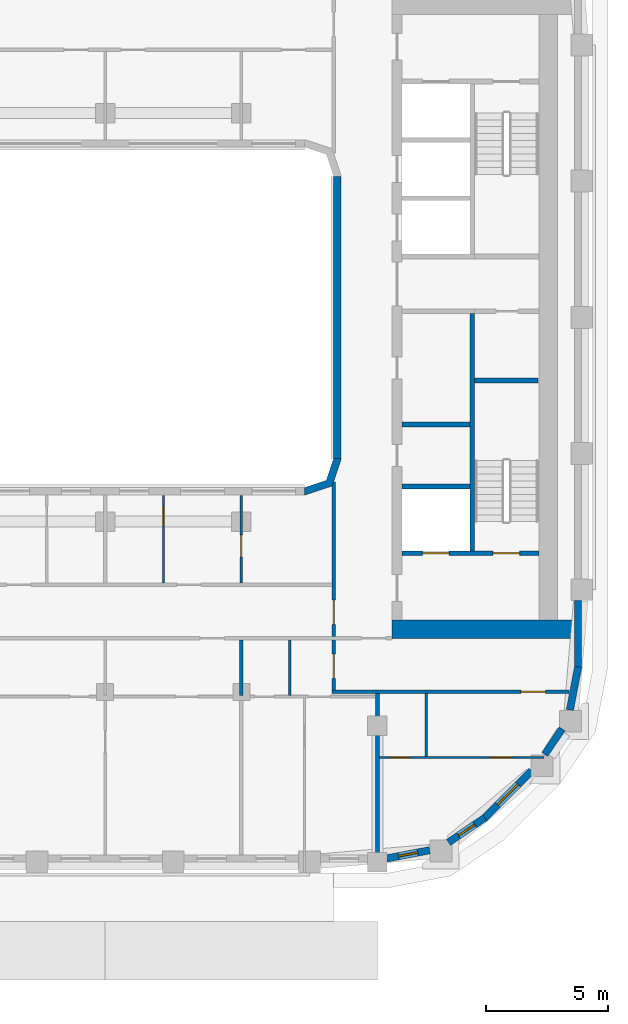
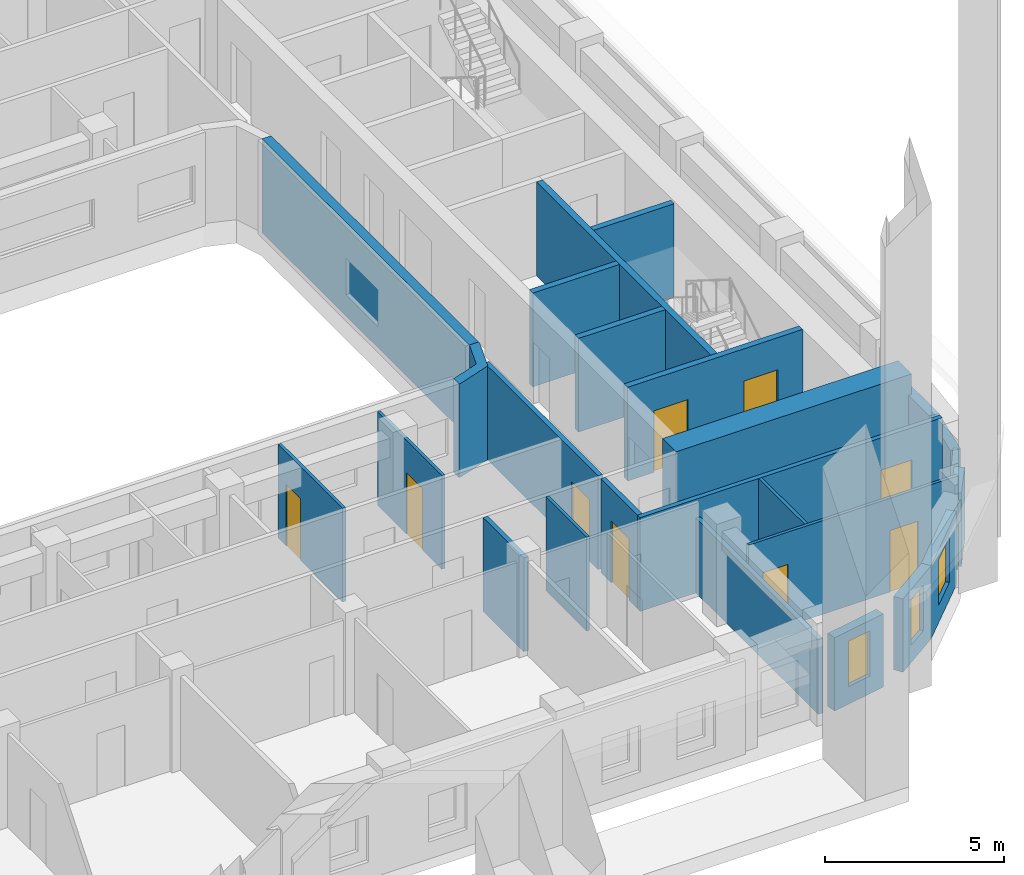
# One storey, part 5 of 20: 24 walls, 9 doors, 3 windows, 12 openings.
"""IFC4 building model written with IfcOpenShell, lengths in metres."""

from ifc_helpers import new_model, si_unit, direction, frame, frame_2d, origin, place, context, subcontext, project, spatial, polyline, rectangle, outline, extrude, material, layer, layer_set, type_object, element, fill, save


model = new_model("IFC4")

# Units and contexts
model_context = context("Model", 3, precision=1e-05, world=origin(), true_north=direction((0.0, 1.0)))
body_context = subcontext(model_context, "Body", "Model", "MODEL_VIEW")
ifc_project = project(units=[si_unit("LENGTHUNIT", "METRE"), si_unit("AREAUNIT", "SQUARE_METRE"), si_unit("VOLUMEUNIT", "CUBIC_METRE"), si_unit("PLANEANGLEUNIT", "RADIAN"), si_unit("MASSUNIT", "GRAM", prefix="KILO")], contexts=[model_context])

# Site, building, storey
site_placement = place(None, origin())
site = spatial("IfcSite", under=ifc_project, at=site_placement, CompositionType="ELEMENT")
building_placement = place(site_placement, origin())
building = spatial("IfcBuilding", under=site, at=building_placement, Name="Kiln Ring Residences", CompositionType="ELEMENT")
storey_placement = place(building_placement, frame((0.0, 0.0, 188.89990234375)))
storey = spatial("IfcBuildingStorey", under=building, at=storey_placement, Name="L48", CompositionType="ELEMENT", Elevation=188.89990234375)

# Walls
ifc_material_1 = material(Name="Gypsum board on steel studs", Category="steel")
ifc_layer_1 = layer(ifc_material_1, 0.199951171875)
ifc_layer_set_1 = layer_set([ifc_layer_1], Name="CORE-PARTITION-200")
wall_type_1 = type_object("IfcWallType", Name="CORE-PARTITION-200", PredefinedType="PARTITIONING", material=ifc_layer_set_1)
wall_1_placement = place(storey_placement, frame((17.800048828125, -4.39990234375, 0.0), z_axis=(0.0, 0.0, 1.0), x_axis=(1.0, 0.0, 0.0)))
element("IfcWall", 1, at=wall_1_placement, inside=storey, type_object=wall_type_1, Name="Core partition east L48 2", PredefinedType="PARTITIONING", context=body_context, shape_type="SweptSolid", body=[
    extrude(rectangle(XDim=2.800048828125, YDim=0.199951171875, at=frame_2d((1.39990234375, 0.0))), origin(), (0.0, 0.0, 1.0), 3.2001953125),
])
ifc_material_2 = material(Name="Gypsum shaft wall system")
ifc_layer_2 = layer(ifc_material_2, 0.199951171875)
ifc_layer_set_2 = layer_set([ifc_layer_2], Name="CORE-SHAFT-WALL-200")
wall_type_2 = type_object("IfcWallType", Name="CORE-SHAFT-WALL-200", PredefinedType="PARTITIONING", material=ifc_layer_set_2)
wall_2_placement = place(storey_placement, frame((17.800048828125, -6.949951171875, 0.0), z_axis=(0.0, 0.0, 1.0), x_axis=(1.0, 0.0, 0.0)))
element("IfcWall", 2, at=wall_2_placement, inside=storey, type_object=wall_type_2, Name="Core partition east L48 3", PredefinedType="PARTITIONING", context=body_context, shape_type="SweptSolid", body=[
    extrude(rectangle(XDim=2.800048828125, YDim=0.199951171875, at=frame_2d((1.39990234375, 0.0))), origin(), (0.0, 0.0, 1.0), 3.2001953125),
])
ifc_material_3 = material(Name="Concrete C40/50", Category="concrete")
ifc_layer_3 = layer(ifc_material_3, 0.199951171875)
ifc_layer_set_3 = layer_set([ifc_layer_3], Name="CORE-WALL-RC200")
wall_type_3 = type_object("IfcWallType", Name="CORE-WALL-RC200", PredefinedType="SHEAR", material=ifc_layer_set_3)
wall_3_placement = place(storey_placement, frame((20.699951171875, -9.60009765625, 0.0), z_axis=(0.0, 0.0, 1.0), x_axis=(0.0, 1.0, 0.0)))
element("IfcWall", 3, at=wall_3_placement, inside=storey, type_object=wall_type_3, Name="Core wall east L48 2", PredefinedType="SHEAR", context=body_context, shape_type="SweptSolid", body=[
    extrude(rectangle(XDim=9.75, YDim=0.199951171875, at=frame_2d((4.875, 0.0))), origin(), (0.0, 0.0, 1.0), 3.2001953125),
])

# Wall, openings, doors
wall_4_placement = place(storey_placement, frame((17.800048828125, -9.699951171875, 0.0), z_axis=(0.0, 0.0, 1.0), x_axis=(1.0, 0.0, 0.0)))
wall_4 = element("IfcWall", 4, at=wall_4_placement, inside=storey, type_object=wall_type_3, Name="Core wall east L48 8", PredefinedType="SHEAR", context=body_context, shape_type="SweptSolid", body=[
    extrude(rectangle(XDim=5.64990234375, YDim=0.199951171875, at=frame_2d((2.824951171875, 0.0))), origin(), (0.0, 0.0, 1.0), 3.2001953125),
])
opening_1_placement = place(wall_4_placement, frame((0.85009765625, 0.0, 0.0)))
opening_1 = element("IfcOpeningElement", 5, at=opening_1_placement, cuts=wall_4, Name="Opening L48-CE01", PredefinedType="OPENING", context=body_context, shape_type="SweptSolid", body=[
    extrude(rectangle(XDim=1.10009765625, YDim=2.10009765625, at=frame_2d((0.550048828125, 1.050048828125))), frame((0.0, 0.10986328125, 0.0), z_axis=(0.0, -1.0, 0.0), x_axis=(1.0, 0.0, 0.0)), (0.0, 0.0, 1.0), 0.219970703125),
])
opening_2_placement = place(wall_4_placement, frame((3.75, 0.0, 0.0)))
opening_2 = element("IfcOpeningElement", 6, at=opening_2_placement, cuts=wall_4, Name="Opening L48-CE10", PredefinedType="OPENING", context=body_context, shape_type="SweptSolid", body=[
    extrude(rectangle(XDim=1.10009765625, YDim=2.10009765625, at=frame_2d((0.550048828125, 1.050048828125))), frame((0.0, 0.10986328125, 0.0), z_axis=(0.0, -1.0, 0.0), x_axis=(1.0, 0.0, 0.0)), (0.0, 0.0, 1.0), 0.219970703125),
])
ifc_material_4 = material(Name="Steel door leaf", Category="steel")
door_type_1 = type_object("IfcDoorType", Name="CORE-DOOR-LD", OperationType="DOUBLE_DOOR_SLIDING", PredefinedType="DOOR", material=ifc_material_4)
door_1_placement = place(opening_1_placement, origin())
door_1 = element("IfcDoor", 7, at=door_1_placement, inside=storey, type_object=door_type_1, Name="LD E-SV L48-CE01", OperationType="DOUBLE_DOOR_SLIDING", OverallHeight=2.10009765625, OverallWidth=1.10009765625, PredefinedType="DOOR", context=body_context, shape_type="SweptSolid", body=[
    extrude(rectangle(XDim=1.10009765625, YDim=2.10009765625, at=frame_2d((0.550048828125, 1.050048828125))), frame((0.0, 0.02490234375, 0.0), z_axis=(0.0, -1.0, 0.0), x_axis=(1.0, 0.0, 0.0)), (0.0, 0.0, 1.0), 0.050048828125),
])
fill(opening_1, door_1)
ifc_material_5 = material(Name="Steel door leaf", Category="steel")
door_type_2 = type_object("IfcDoorType", Name="CORE-DOOR-STAIR", OperationType="SINGLE_SWING_LEFT", PredefinedType="DOOR", material=ifc_material_5)
door_2_placement = place(opening_2_placement, origin())
door_2 = element("IfcDoor", 8, at=door_2_placement, inside=storey, type_object=door_type_2, Name="Stair E-STS L48-CE10", OperationType="SINGLE_SWING_RIGHT", OverallHeight=2.10009765625, OverallWidth=1.10009765625, PredefinedType="DOOR", context=body_context, shape_type="SweptSolid", body=[
    extrude(rectangle(XDim=1.10009765625, YDim=2.10009765625, at=frame_2d((0.550048828125, 1.050048828125))), frame((0.0, 0.02490234375, 0.0), z_axis=(0.0, -1.0, 0.0), x_axis=(1.0, 0.0, 0.0)), (0.0, 0.0, 1.0), 0.050048828125),
])
fill(opening_2, door_2)

# Walls
wall_5_placement = place(storey_placement, frame((20.800048828125, -2.60009765625, 0.0), z_axis=(0.0, 0.0, 1.0), x_axis=(1.0, 0.0, 0.0)))
element("IfcWall", 9, at=wall_5_placement, inside=storey, type_object=wall_type_3, Name="Core wall east L48 10", PredefinedType="SHEAR", context=body_context, shape_type="SweptSolid", body=[
    extrude(rectangle(XDim=2.599853515625, YDim=0.199951171875, at=frame_2d((1.2998046875, 0.0))), origin(), (0.0, 0.0, 1.0), 3.2001953125),
])
ifc_material_6 = material(Name="Concrete C60/75", Category="concrete")
ifc_layer_4 = layer(ifc_material_6, 0.75)
ifc_layer_set_4 = layer_set([ifc_layer_4], Name="CORE-WALL-RC750")
wall_type_4 = type_object("IfcWallType", Name="CORE-WALL-RC750", PredefinedType="SHEAR", material=ifc_layer_set_4)
wall_6_placement = place(storey_placement, frame((17.39990234375, -12.824951171875, 0.0), z_axis=(0.0, 0.0, 1.0), x_axis=(1.0, 0.0, 0.0)))
element("IfcWall", 10, at=wall_6_placement, inside=storey, type_object=wall_type_4, Name="Core wall east L48 5", PredefinedType="SHEAR", context=body_context, shape_type="SweptSolid", body=[
    extrude(rectangle(XDim=7.60009765625, YDim=0.75, at=frame_2d((3.800048828125, 0.0))), origin(), (0.0, 0.0, 1.0), 3.2001953125),
])

# Wall, opening, window
ifc_material_7 = material(Name="Brick masonry, dark clay brick", Category="masonry")
ifc_layer_5 = layer(ifc_material_7, 0.300048828125)
ifc_layer_set_5 = layer_set([ifc_layer_5], Name="EW-300 BRICK WALL")
wall_type_5 = type_object("IfcWallType", Name="EW-300 BRICK WALL", PredefinedType="SOLIDWALL", material=ifc_layer_set_5)
wall_7_placement = place(storey_placement, frame((17.178955078125, -22.251220703125, 0.0), z_axis=(0.0, 0.0, 1.0), x_axis=(0.98230529033, 0.187286722942, 0.0)))
wall_7 = element("IfcWall", 11, at=wall_7_placement, inside=storey, type_object=wall_type_5, Name="Facade wall L48 11", PredefinedType="SOLIDWALL", context=body_context, shape_type="SweptSolid", body=[
    extrude(rectangle(XDim=1.798828125, YDim=0.300048828125, at=frame_2d((0.8994140625, 0.0))), origin(), (0.0, 0.0, 1.0), 2.5),
])
opening_3_placement = place(wall_7_placement, frame((0.49951171875, 0.0, 0.60009765625)))
opening_3 = element("IfcOpeningElement", 12, at=opening_3_placement, cuts=wall_7, Name="Opening W5", PredefinedType="OPENING", context=body_context, shape_type="SweptSolid", body=[
    extrude(rectangle(XDim=0.800048828125, YDim=1.550048828125, at=frame_2d((0.39990234375, 0.77490234375))), frame((0.0, 0.159912109375, 0.0), z_axis=(0.0, -1.0, 0.0), x_axis=(1.0, 0.0, 0.0)), (0.0, 0.0, 1.0), 0.320068359375),
])
ifc_material_8 = material(Name="Aluminium frame with double glazing", Category="aluminium")
window_type_1 = type_object("IfcWindowType", Name="WINDOW 800 x 1550", PartitioningType="SINGLE_PANEL", PredefinedType="WINDOW", material=ifc_material_8)
window_1_placement = place(opening_3_placement, origin())
window_1 = element("IfcWindow", 13, at=window_1_placement, inside=storey, type_object=window_type_1, Name="Window L48 15", OverallHeight=1.550048828125, OverallWidth=0.800048828125, PartitioningType="SINGLE_PANEL", PredefinedType="WINDOW", context=body_context, shape_type="SweptSolid", body=[
    extrude(rectangle(XDim=0.800048828125, YDim=1.550048828125, at=frame_2d((0.39990234375, 0.77490234375))), frame((0.0, 0.030029296875, 0.0), z_axis=(0.0, -1.0, 0.0), x_axis=(1.0, 0.0, 0.0)), (0.0, 0.0, 1.0), 0.06005859375),
])
fill(opening_3, window_1)

wall_8_placement = place(storey_placement, frame((19.718994140625, -21.593994140625, 0.0), z_axis=(0.0, 0.0, 1.0), x_axis=(0.827067282455, 0.562102935673, 0.0)))
wall_8 = element("IfcWall", 14, at=wall_8_placement, inside=storey, type_object=wall_type_5, Name="Facade wall L48 12", PredefinedType="SOLIDWALL", context=body_context, shape_type="SweptSolid", body=[
    extrude(rectangle(XDim=1.805908203125, YDim=0.300048828125, at=frame_2d((0.90283203125, 0.0))), origin(), (0.0, 0.0, 1.0), 2.5),
])
opening_4_placement = place(wall_8_placement, frame((0.5029296875, 0.0, 0.60009765625)))
opening_4 = element("IfcOpeningElement", 15, at=opening_4_placement, cuts=wall_8, Name="Opening W5", PredefinedType="OPENING", context=body_context, shape_type="SweptSolid", body=[
    extrude(rectangle(XDim=0.800048828125, YDim=1.550048828125, at=frame_2d((0.39990234375, 0.77490234375))), frame((0.0, 0.159912109375, 0.0), z_axis=(0.0, -1.0, 0.0), x_axis=(1.0, 0.0, 0.0)), (0.0, 0.0, 1.0), 0.320068359375),
])
window_2_placement = place(opening_4_placement, origin())
window_2 = element("IfcWindow", 16, at=window_2_placement, inside=storey, type_object=window_type_1, Name="Window L48 16", OverallHeight=1.550048828125, OverallWidth=0.800048828125, PartitioningType="SINGLE_PANEL", PredefinedType="WINDOW", context=body_context, shape_type="SweptSolid", body=[
    extrude(rectangle(XDim=0.800048828125, YDim=1.550048828125, at=frame_2d((0.39990234375, 0.77490234375))), frame((0.0, 0.030029296875, 0.0), z_axis=(0.0, -1.0, 0.0), x_axis=(1.0, 0.0, 0.0)), (0.0, 0.0, 1.0), 0.06005859375),
])
fill(opening_4, window_2)

wall_9_placement = place(storey_placement, frame((21.19091796875, -20.596923828125, 0.0), z_axis=(0.0, 0.0, 1.0), x_axis=(0.707106781187, 0.707106781187, 0.0)))
wall_9 = element("IfcWall", 17, at=wall_9_placement, inside=storey, type_object=wall_type_5, Name="Facade wall L48 13", PredefinedType="SOLIDWALL", context=body_context, shape_type="SweptSolid", body=[
    extrude(rectangle(XDim=2.75, YDim=0.300048828125, at=frame_2d((1.375, 0.0))), origin(), (0.0, 0.0, 1.0), 2.5),
])
opening_5_placement = place(wall_9_placement, frame((0.77490234375, 0.0, 0.60009765625)))
opening_5 = element("IfcOpeningElement", 18, at=opening_5_placement, cuts=wall_9, Name="Opening W1", PredefinedType="OPENING", context=body_context, shape_type="SweptSolid", body=[
    extrude(rectangle(XDim=1.199951171875, YDim=1.550048828125, at=frame_2d((0.60009765625, 0.77490234375))), frame((0.0, 0.159912109375, 0.0), z_axis=(0.0, -1.0, 0.0), x_axis=(1.0, 0.0, 0.0)), (0.0, 0.0, 1.0), 0.320068359375),
])
ifc_material_9 = material(Name="Aluminium frame with double glazing", Category="aluminium")
window_type_2 = type_object("IfcWindowType", Name="WINDOW 1200 x 1550", PartitioningType="SINGLE_PANEL", PredefinedType="WINDOW", material=ifc_material_9)
window_3_placement = place(opening_5_placement, origin())
window_3 = element("IfcWindow", 19, at=window_3_placement, inside=storey, type_object=window_type_2, Name="Window L48 17", OverallHeight=1.550048828125, OverallWidth=1.199951171875, PartitioningType="SINGLE_PANEL", PredefinedType="WINDOW", context=body_context, shape_type="SweptSolid", body=[
    extrude(rectangle(XDim=1.199951171875, YDim=1.550048828125, at=frame_2d((0.60009765625, 0.77490234375))), frame((0.0, 0.030029296875, 0.0), z_axis=(0.0, -1.0, 0.0), x_axis=(1.0, 0.0, 0.0)), (0.0, 0.0, 1.0), 0.06005859375),
])
fill(opening_5, window_3)

# Walls
wall_10_placement = place(storey_placement, frame((23.67626953125, -17.975341796875, 0.0), z_axis=(0.0, 0.0, 1.0), x_axis=(0.56200149592, 0.827136215253, 0.0)))
element("IfcWall", 20, at=wall_10_placement, inside=storey, type_object=wall_type_5, Name="Facade wall L48 14", PredefinedType="SOLIDWALL", context=body_context, shape_type="SweptSolid", body=[
    extrude(rectangle(XDim=1.277099609375, YDim=0.300048828125, at=frame_2d((0.638671875, 0.0))), origin(), (0.0, 0.0, 1.0), 2.5),
])
wall_11_placement = place(storey_placement, frame((24.71435546875, -16.14599609375, 0.0), z_axis=(0.0, 0.0, 1.0), x_axis=(0.187348135549, 0.982293579388, 0.0)))
element("IfcWall", 21, at=wall_11_placement, inside=storey, type_object=wall_type_5, Name="Facade wall L48 15", PredefinedType="SOLIDWALL", context=body_context, shape_type="SweptSolid", body=[
    extrude(rectangle(XDim=1.80615234375, YDim=0.300048828125, at=frame_2d((0.903076171875, 0.0))), origin(), (0.0, 0.0, 1.0), 2.5),
])
wall_12_placement = place(storey_placement, frame((25.050048828125, -14.39990234375, 0.0), z_axis=(0.0, 0.0, 1.0), x_axis=(0.0, 1.0, 0.0)))
element("IfcWall", 22, at=wall_12_placement, inside=storey, type_object=wall_type_5, Name="Facade wall L48 16", PredefinedType="SOLIDWALL", context=body_context, shape_type="SweptSolid", body=[
    extrude(rectangle(XDim=2.75, YDim=0.300048828125, at=frame_2d((1.375, 0.0))), origin(), (0.0, 0.0, 1.0), 2.5),
])
wall_13_placement = place(storey_placement, frame((15.14990234375, 5.800048828125, 0.0), z_axis=(0.0, 0.0, 1.0), x_axis=(0.0, -1.0, 0.0)))
element("IfcWall", 23, at=wall_13_placement, inside=storey, type_object=wall_type_5, Name="Facade wall L48 49", PredefinedType="SOLIDWALL", context=body_context, shape_type="SweptSolid", body=[
    extrude(rectangle(XDim=11.60009765625, YDim=0.300048828125, at=frame_2d((5.800048828125, 0.0))), origin(), (0.0, 0.0, 1.0), 3.2001953125),
])
wall_14_placement = place(storey_placement, origin())
element("IfcWall", 24, at=wall_14_placement, inside=storey, type_object=wall_type_5, Name="Corner wall L48 3", PredefinedType="SOLIDWALL", context=body_context, shape_type="SweptSolid", body=[
    extrude(outline(polyline([(14.937255859375, -6.937255859375), (15.300048828125, -5.8486328125), (15.300048828125, -5.800048828125), (15.0, -5.800048828125), (14.699951171875, -6.699951171875), (13.800048828125, -7.0), (13.800048828125, -7.300048828125), (13.8486328125, -7.300048828125), (14.937255859375, -6.937255859375)])), origin(), (0.0, 0.0, 1.0), 3.2001953125),
])

# Wall, openings, doors
ifc_material_10 = material(Name="Gypsum board on steel studs", Category="steel")
ifc_layer_6 = layer(ifc_material_10, 0.10009765625)
ifc_layer_set_6 = layer_set([ifc_layer_6], Name="PARTITION-100")
wall_type_6 = type_object("IfcWallType", Name="PARTITION-100", PredefinedType="PARTITIONING", material=ifc_layer_set_6)
wall_15_placement = place(storey_placement, frame((16.875, -18.10009765625, 0.0), z_axis=(0.0, 0.0, 1.0), x_axis=(1.0, 0.0, 0.0)))
wall_15 = element("IfcWall", 25, at=wall_15_placement, inside=storey, type_object=wall_type_6, Name="Partition 000", PredefinedType="PARTITIONING", context=body_context, shape_type="SweptSolid", body=[
    extrude(rectangle(XDim=6.764892578125, YDim=0.10009765625, at=frame_2d((3.38232421875, 0.0))), origin(), (0.0, 0.0, 1.0), 3.2001953125),
])
opening_6_placement = place(wall_15_placement, frame((0.47509765625, 0.0, 0.0)))
opening_6 = element("IfcOpeningElement", 26, at=opening_6_placement, cuts=wall_15, Name="Opening L48-D063", PredefinedType="OPENING", context=body_context, shape_type="SweptSolid", body=[
    extrude(rectangle(XDim=0.800048828125, YDim=2.10009765625, at=frame_2d((0.39990234375, 1.050048828125))), frame((0.0, 0.06005859375, 0.0), z_axis=(0.0, -1.0, 0.0), x_axis=(1.0, 0.0, 0.0)), (0.0, 0.0, 1.0), 0.1201171875),
])
opening_7_placement = place(wall_15_placement, frame((4.574951171875, 0.0, 0.0)))
opening_7 = element("IfcOpeningElement", 27, at=opening_7_placement, cuts=wall_15, Name="Opening L48-D064", PredefinedType="OPENING", context=body_context, shape_type="SweptSolid", body=[
    extrude(rectangle(XDim=0.89990234375, YDim=2.10009765625, at=frame_2d((0.449951171875, 1.050048828125))), frame((0.0, 0.06005859375, 0.0), z_axis=(0.0, -1.0, 0.0), x_axis=(1.0, 0.0, 0.0)), (0.0, 0.0, 1.0), 0.1201171875),
])
ifc_material_11 = material(Name="Timber door leaf", Category="wood")
door_type_3 = type_object("IfcDoorType", Name="FLAT-DOOR-800-PL", OperationType="SINGLE_SWING_LEFT", PredefinedType="DOOR", material=ifc_material_11)
door_3_placement = place(opening_6_placement, origin())
door_3 = element("IfcDoor", 28, at=door_3_placement, inside=storey, type_object=door_type_3, Name="Door L48-D063", OperationType="SINGLE_SWING_LEFT", OverallHeight=2.10009765625, OverallWidth=0.800048828125, PredefinedType="DOOR", context=body_context, shape_type="SweptSolid", body=[
    extrude(rectangle(XDim=0.800048828125, YDim=2.10009765625, at=frame_2d((0.39990234375, 1.050048828125))), frame((0.0, 0.02490234375, 0.0), z_axis=(0.0, -1.0, 0.0), x_axis=(1.0, 0.0, 0.0)), (0.0, 0.0, 1.0), 0.050048828125),
])
fill(opening_6, door_3)
ifc_material_12 = material(Name="Timber door leaf", Category="wood")
door_type_4 = type_object("IfcDoorType", Name="FLAT-DOOR-900-PL", OperationType="SINGLE_SWING_LEFT", PredefinedType="DOOR", material=ifc_material_12)
door_4_placement = place(opening_7_placement, origin())
door_4 = element("IfcDoor", 29, at=door_4_placement, inside=storey, type_object=door_type_4, Name="Door L48-D064", OperationType="SINGLE_SWING_RIGHT", OverallHeight=2.10009765625, OverallWidth=0.89990234375, PredefinedType="DOOR", context=body_context, shape_type="SweptSolid", body=[
    extrude(rectangle(XDim=0.89990234375, YDim=2.10009765625, at=frame_2d((0.449951171875, 1.050048828125))), frame((0.0, 0.02490234375, 0.0), z_axis=(0.0, -1.0, 0.0), x_axis=(1.0, 0.0, 0.0)), (0.0, 0.0, 1.0), 0.050048828125),
])
fill(opening_7, door_4)

# Wall, opening, door
wall_16_placement = place(storey_placement, frame((8.0, -10.925048828125, 0.0), z_axis=(0.0, 0.0, 1.0), x_axis=(0.0, 1.0, 0.0)))
wall_16 = element("IfcWall", 30, at=wall_16_placement, inside=storey, type_object=wall_type_6, Name="Partition 053", PredefinedType="PARTITIONING", context=body_context, shape_type="SweptSolid", body=[
    extrude(rectangle(XDim=3.60498046875, YDim=0.10009765625, at=frame_2d((1.802490234375, 0.0))), origin(), (0.0, 0.0, 1.0), 3.2001953125),
])
opening_8_placement = place(wall_16_placement, frame((2.35498046875, 0.0, 0.0)))
opening_8 = element("IfcOpeningElement", 31, at=opening_8_placement, cuts=wall_16, Name="Opening L48-D045", PredefinedType="OPENING", context=body_context, shape_type="SweptSolid", body=[
    extrude(rectangle(XDim=0.800048828125, YDim=2.10009765625, at=frame_2d((0.39990234375, 1.050048828125))), frame((0.0, 0.06005859375, 0.0), z_axis=(0.0, -1.0, 0.0), x_axis=(1.0, 0.0, 0.0)), (0.0, 0.0, 1.0), 0.1201171875),
])
door_5_placement = place(opening_8_placement, origin())
door_5 = element("IfcDoor", 32, at=door_5_placement, inside=storey, type_object=door_type_3, Name="Door L48-D045", OperationType="SINGLE_SWING_LEFT", OverallHeight=2.10009765625, OverallWidth=0.800048828125, PredefinedType="DOOR", context=body_context, shape_type="SweptSolid", body=[
    extrude(rectangle(XDim=0.800048828125, YDim=2.10009765625, at=frame_2d((0.39990234375, 1.050048828125))), frame((0.0, 0.02490234375, 0.0), z_axis=(0.0, -1.0, 0.0), x_axis=(1.0, 0.0, 0.0)), (0.0, 0.0, 1.0), 0.050048828125),
])
fill(opening_8, door_5)

wall_17_placement = place(storey_placement, frame((11.199951171875, -10.925048828125, 0.0), z_axis=(0.0, 0.0, 1.0), x_axis=(0.0, 1.0, 0.0)))
wall_17 = element("IfcWall", 33, at=wall_17_placement, inside=storey, type_object=wall_type_6, Name="Partition 055", PredefinedType="PARTITIONING", context=body_context, shape_type="SweptSolid", body=[
    extrude(rectangle(XDim=3.60498046875, YDim=0.10009765625, at=frame_2d((1.802490234375, 0.0))), origin(), (0.0, 0.0, 1.0), 3.2001953125),
])
opening_9_placement = place(wall_17_placement, frame((1.075927734375, 0.0, 0.0)))
opening_9 = element("IfcOpeningElement", 34, at=opening_9_placement, cuts=wall_17, Name="Opening L48-D046", PredefinedType="OPENING", context=body_context, shape_type="SweptSolid", body=[
    extrude(rectangle(XDim=0.89990234375, YDim=2.10009765625, at=frame_2d((0.449951171875, 1.050048828125))), frame((0.0, 0.06005859375, 0.0), z_axis=(0.0, -1.0, 0.0), x_axis=(1.0, 0.0, 0.0)), (0.0, 0.0, 1.0), 0.1201171875),
])
door_6_placement = place(opening_9_placement, origin())
door_6 = element("IfcDoor", 35, at=door_6_placement, inside=storey, type_object=door_type_4, Name="Door L48-D046", OperationType="SINGLE_SWING_LEFT", OverallHeight=2.10009765625, OverallWidth=0.89990234375, PredefinedType="DOOR", context=body_context, shape_type="SweptSolid", body=[
    extrude(rectangle(XDim=0.89990234375, YDim=2.10009765625, at=frame_2d((0.449951171875, 1.050048828125))), frame((0.0, 0.02490234375, 0.0), z_axis=(0.0, -1.0, 0.0), x_axis=(1.0, 0.0, 0.0)), (0.0, 0.0, 1.0), 0.050048828125),
])
fill(opening_9, door_6)

# Walls
wall_18_placement = place(storey_placement, frame((13.199951171875, -15.550048828125, 0.0), z_axis=(0.0, 0.0, 1.0), x_axis=(0.0, 1.0, 0.0)))
element("IfcWall", 36, at=wall_18_placement, inside=storey, type_object=wall_type_6, Name="Partition 061", PredefinedType="PARTITIONING", context=body_context, shape_type="SweptSolid", body=[
    extrude(rectangle(XDim=2.275146484375, YDim=0.10009765625, at=frame_2d((1.1376953125, 0.0))), origin(), (0.0, 0.0, 1.0), 3.2001953125),
])
wall_19_placement = place(storey_placement, frame((18.800048828125, -18.050048828125, 0.0), z_axis=(0.0, 0.0, 1.0), x_axis=(0.0, 1.0, 0.0)))
element("IfcWall", 37, at=wall_19_placement, inside=storey, type_object=wall_type_6, Name="Partition 070", PredefinedType="PARTITIONING", context=body_context, shape_type="SweptSolid", body=[
    extrude(rectangle(XDim=2.574951171875, YDim=0.10009765625, at=frame_2d((1.28759765625, 0.0))), origin(), (0.0, 0.0, 1.0), 3.2001953125),
])

# Wall, opening, door
ifc_material_13 = material(Name="Brick masonry partition", Category="masonry")
ifc_layer_7 = layer(ifc_material_13, 0.14990234375)
ifc_layer_set_7 = layer_set([ifc_layer_7], Name="PARTITION-150-ei60")
wall_type_7 = type_object("IfcWallType", Name="PARTITION-150-ei60", PredefinedType="PARTITIONING", material=ifc_layer_set_7)
wall_20_placement = place(storey_placement, frame((14.925048828125, -15.39990234375, 0.0), z_axis=(0.0, 0.0, 1.0), x_axis=(1.0, 0.0, 0.0)))
wall_20 = element("IfcWall", 38, at=wall_20_placement, inside=storey, type_object=wall_type_7, Name="Partition 004", PredefinedType="PARTITIONING", context=body_context, shape_type="SweptSolid", body=[
    extrude(rectangle(XDim=9.7587890625, YDim=0.14990234375, at=frame_2d((4.87939453125, 0.0))), origin(), (0.0, 0.0, 1.0), 3.2001953125),
])
opening_10_placement = place(wall_20_placement, frame((7.77490234375, 0.0, 0.0)))
opening_10 = element("IfcOpeningElement", 39, at=opening_10_placement, cuts=wall_20, Name="Opening L48-D062", PredefinedType="OPENING", context=body_context, shape_type="SweptSolid", body=[
    extrude(rectangle(XDim=1.0, YDim=2.10009765625, at=frame_2d((0.5, 1.050048828125))), frame((0.0, 0.0849609375, 0.0), z_axis=(0.0, -1.0, 0.0), x_axis=(1.0, 0.0, 0.0)), (0.0, 0.0, 1.0), 0.169921875),
])
ifc_material_14 = material(Name="Steel faced fire door leaf", Category="steel")
door_type_5 = type_object("IfcDoorType", Name="FLAT-DOOR-1000-FR", OperationType="SINGLE_SWING_LEFT", PredefinedType="DOOR", material=ifc_material_14)
door_7_placement = place(opening_10_placement, origin())
door_7 = element("IfcDoor", 40, at=door_7_placement, inside=storey, type_object=door_type_5, Name="Door L48-D062", OperationType="SINGLE_SWING_RIGHT", OverallHeight=2.10009765625, OverallWidth=1.0, PredefinedType="DOOR", context=body_context, shape_type="SweptSolid", body=[
    extrude(rectangle(XDim=1.0, YDim=2.10009765625, at=frame_2d((0.5, 1.050048828125))), frame((0.0, 0.02490234375, 0.0), z_axis=(0.0, -1.0, 0.0), x_axis=(1.0, 0.0, 0.0)), (0.0, 0.0, 1.0), 0.050048828125),
])
fill(opening_10, door_7)

# Wall
wall_21_placement = place(storey_placement, frame((11.199951171875, -15.550048828125, 0.0), z_axis=(0.0, 0.0, 1.0), x_axis=(0.0, 1.0, 0.0)))
element("IfcWall", 41, at=wall_21_placement, inside=storey, type_object=wall_type_7, Name="Partition 060", PredefinedType="PARTITIONING", context=body_context, shape_type="SweptSolid", body=[
    extrude(rectangle(XDim=2.275146484375, YDim=0.14990234375, at=frame_2d((1.1376953125, 0.0))), origin(), (0.0, 0.0, 1.0), 3.2001953125),
])

# Wall, opening, door
wall_22_placement = place(storey_placement, frame((15.0, -15.324951171875, 0.0), z_axis=(0.0, 0.0, 1.0), x_axis=(0.0, 1.0, 0.0)))
wall_22 = element("IfcWall", 42, at=wall_22_placement, inside=storey, type_object=wall_type_7, Name="Partition 064", PredefinedType="PARTITIONING", context=body_context, shape_type="SweptSolid", body=[
    extrude(rectangle(XDim=2.050048828125, YDim=0.14990234375, at=frame_2d((1.02490234375, 0.0))), origin(), (0.0, 0.0, 1.0), 3.2001953125),
])
opening_11_placement = place(wall_22_placement, frame((0.47412109375, 0.0, 0.0)))
opening_11 = element("IfcOpeningElement", 43, at=opening_11_placement, cuts=wall_22, Name="Opening L48-D058", PredefinedType="OPENING", context=body_context, shape_type="SweptSolid", body=[
    extrude(rectangle(XDim=1.0, YDim=2.10009765625, at=frame_2d((0.5, 1.050048828125))), frame((0.0, 0.0849609375, 0.0), z_axis=(0.0, -1.0, 0.0), x_axis=(1.0, 0.0, 0.0)), (0.0, 0.0, 1.0), 0.169921875),
])
door_8_placement = place(opening_11_placement, origin())
door_8 = element("IfcDoor", 44, at=door_8_placement, inside=storey, type_object=door_type_5, Name="Door L48-D058", OperationType="SINGLE_SWING_RIGHT", OverallHeight=2.10009765625, OverallWidth=1.0, PredefinedType="DOOR", context=body_context, shape_type="SweptSolid", body=[
    extrude(rectangle(XDim=1.0, YDim=2.10009765625, at=frame_2d((0.5, 1.050048828125))), frame((0.0, 0.02490234375, 0.0), z_axis=(0.0, -1.0, 0.0), x_axis=(1.0, 0.0, 0.0)), (0.0, 0.0, 1.0), 0.050048828125),
])
fill(opening_11, door_8)

wall_23_placement = place(storey_placement, frame((15.0, -13.125, 0.0), z_axis=(0.0, 0.0, 1.0), x_axis=(0.0, 1.0, 0.0)))
wall_23 = element("IfcWall", 45, at=wall_23_placement, inside=storey, type_object=wall_type_7, Name="Partition 065", PredefinedType="PARTITIONING", context=body_context, shape_type="SweptSolid", body=[
    extrude(rectangle(XDim=6.356201171875, YDim=0.14990234375, at=frame_2d((3.17822265625, 0.0))), origin(), (0.0, 0.0, 1.0), 3.2001953125),
])
opening_12_placement = place(wall_23_placement, frame((0.49609375, 0.0, 0.0)))
opening_12 = element("IfcOpeningElement", 46, at=opening_12_placement, cuts=wall_23, Name="Opening L48-D006", PredefinedType="OPENING", context=body_context, shape_type="SweptSolid", body=[
    extrude(rectangle(XDim=1.0, YDim=2.10009765625, at=frame_2d((0.5, 1.050048828125))), frame((0.0, 0.0849609375, 0.0), z_axis=(0.0, -1.0, 0.0), x_axis=(1.0, 0.0, 0.0)), (0.0, 0.0, 1.0), 0.169921875),
])
door_9_placement = place(opening_12_placement, origin())
door_9 = element("IfcDoor", 47, at=door_9_placement, inside=storey, type_object=door_type_5, Name="Door L48-D006", OperationType="SINGLE_SWING_LEFT", OverallHeight=2.10009765625, OverallWidth=1.0, PredefinedType="DOOR", context=body_context, shape_type="SweptSolid", body=[
    extrude(rectangle(XDim=1.0, YDim=2.10009765625, at=frame_2d((0.5, 1.050048828125))), frame((0.0, 0.02490234375, 0.0), z_axis=(0.0, -1.0, 0.0), x_axis=(1.0, 0.0, 0.0)), (0.0, 0.0, 1.0), 0.050048828125),
])
fill(opening_12, door_9)

# Wall
wall_24_placement = place(storey_placement, frame((16.800048828125, -22.31005859375, 0.0), z_axis=(0.0, 0.0, 1.0), x_axis=(0.0, 1.0, 0.0)))
element("IfcWall", 48, at=wall_24_placement, inside=storey, type_object=wall_type_7, Name="Partition 068", PredefinedType="PARTITIONING", context=body_context, shape_type="SweptSolid", body=[
    extrude(rectangle(XDim=6.8349609375, YDim=0.14990234375, at=frame_2d((3.41748046875, 0.0))), origin(), (0.0, 0.0, 1.0), 2.550048828125),
])

save(model, "model.ifc")
